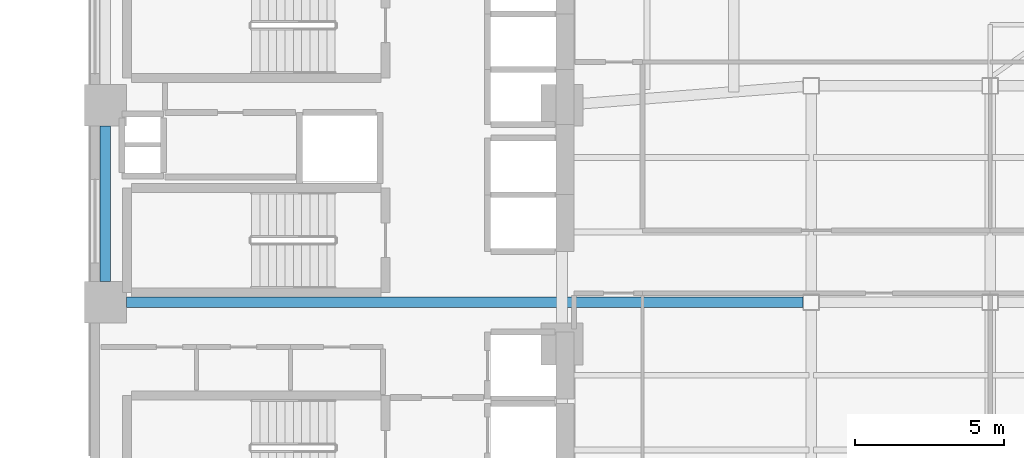
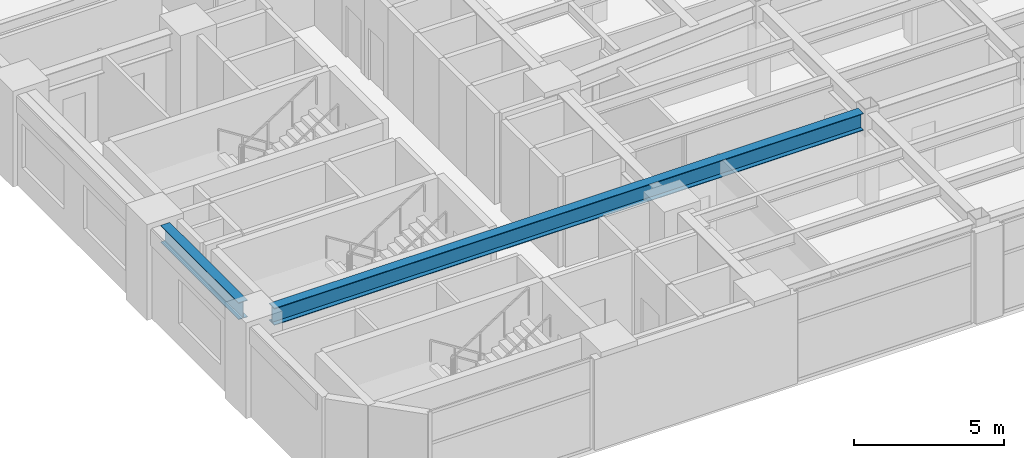
# One storey, part 3 of 16: 2 beams.
"""IFC4 building model written with IfcOpenShell, lengths in metres."""

from ifc_helpers import new_model, si_unit, direction, frame, origin, origin_2d, place, context, subcontext, project, spatial, i_section, extrude, material, material_profile, profile_set, type_object, element, save


model = new_model("IFC4")

# Units and contexts
model_context = context("Model", 3, precision=1e-05, world=origin(), true_north=direction((0.0, 1.0)))
body_context = subcontext(model_context, "Body", "Model", "MODEL_VIEW")
ifc_project = project(units=[si_unit("LENGTHUNIT", "METRE"), si_unit("AREAUNIT", "SQUARE_METRE"), si_unit("VOLUMEUNIT", "CUBIC_METRE"), si_unit("PLANEANGLEUNIT", "RADIAN"), si_unit("MASSUNIT", "GRAM", prefix="KILO")], contexts=[model_context])

# Site, building, storey
site_placement = place(None, origin())
site = spatial("IfcSite", under=ifc_project, at=site_placement, CompositionType="ELEMENT")
building_placement = place(site_placement, origin())
building = spatial("IfcBuilding", under=site, at=building_placement, Name="Mawjaban Terraces University", CompositionType="ELEMENT")
storey_placement = place(building_placement, frame((0.0, 0.0, 38.800048828125)))
storey = spatial("IfcBuildingStorey", under=building, at=storey_placement, Name="L08", CompositionType="ELEMENT", Elevation=38.800048828125)

# Beams
ifc_material = material(Name="Steel ASTM A572 Grade 50", Category="steel")
ifc_material_profile = material_profile(ifc_material, i_section(OverallWidth=0.35498046875, OverallDepth=0.695068359375, WebThickness=0.015380859375, FlangeThickness=0.02490234375, at=origin_2d()), Name="W690X217")
ifc_profile_set = profile_set([ifc_material_profile], Name="Steel ASTM A572 Grade 50")
beam_type = type_object("IfcBeamType", Name="Beam_B_W690X217", PredefinedType="BEAM", material=ifc_profile_set)
beam_1_placement = place(storey_placement, frame((23.050048828125, 7.949951171875, 3.343017578125), z_axis=(1.0, 0.0, 0.0), x_axis=(0.0, 1.0, 0.0)))
element("IfcBeam", 1, at=beam_1_placement, inside=storey, type_object=beam_type, Name="L08 Beam BM-L08-EW-06", PredefinedType="BEAM", context=body_context, shape_type="SweptSolid", body=[
    extrude(i_section(OverallWidth=0.35498046875, OverallDepth=0.695068359375, WebThickness=0.015380859375, FlangeThickness=0.02490234375, at=origin_2d()), origin(), (0.0, 0.0, 1.0), 22.675048828125),
])
beam_2_placement = place(storey_placement, frame((22.35009765625, 8.64990234375, 3.343017578125), z_axis=(0.0, 1.0, 0.0), x_axis=(-1.0, 0.0, 0.0)))
element("IfcBeam", 2, at=beam_2_placement, inside=storey, type_object=beam_type, Name="L08 Beam BM-L08-NS-01", PredefinedType="BEAM", context=body_context, shape_type="SweptSolid", body=[
    extrude(i_section(OverallWidth=0.35498046875, OverallDepth=0.695068359375, WebThickness=0.015380859375, FlangeThickness=0.02490234375, at=origin_2d()), origin(), (0.0, 0.0, 1.0), 5.2001953125),
])

save(model, "model.ifc")
